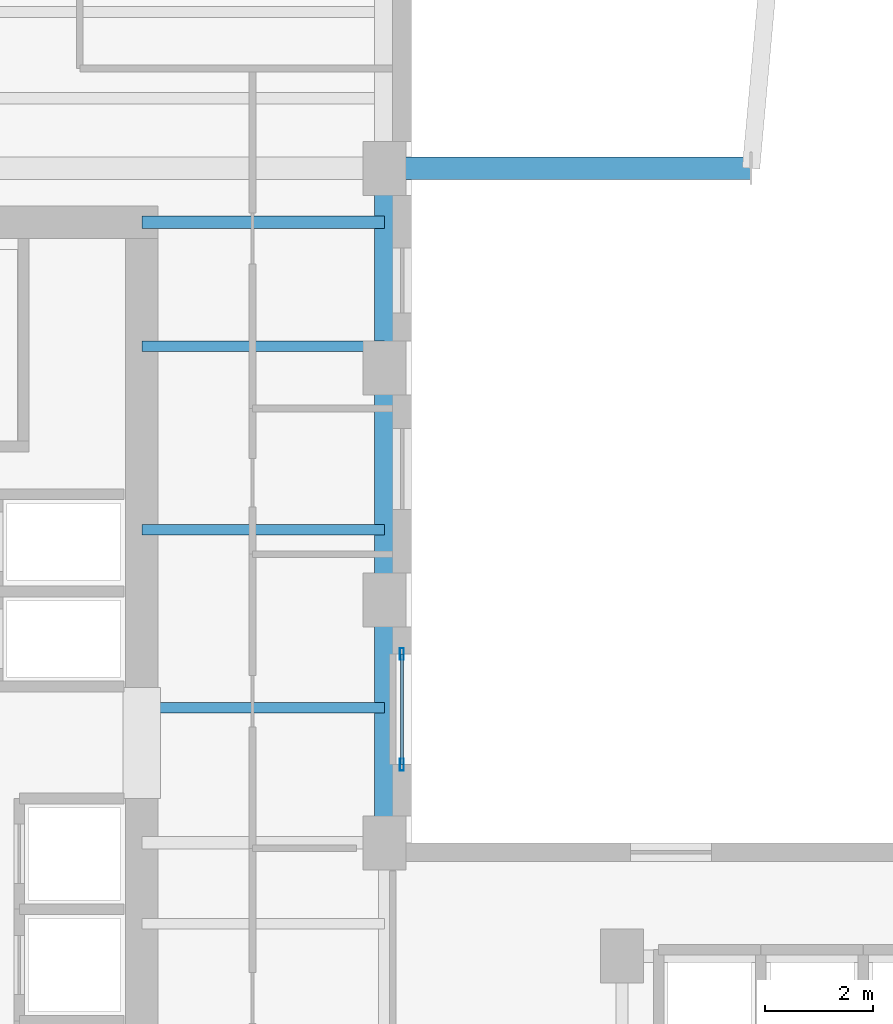
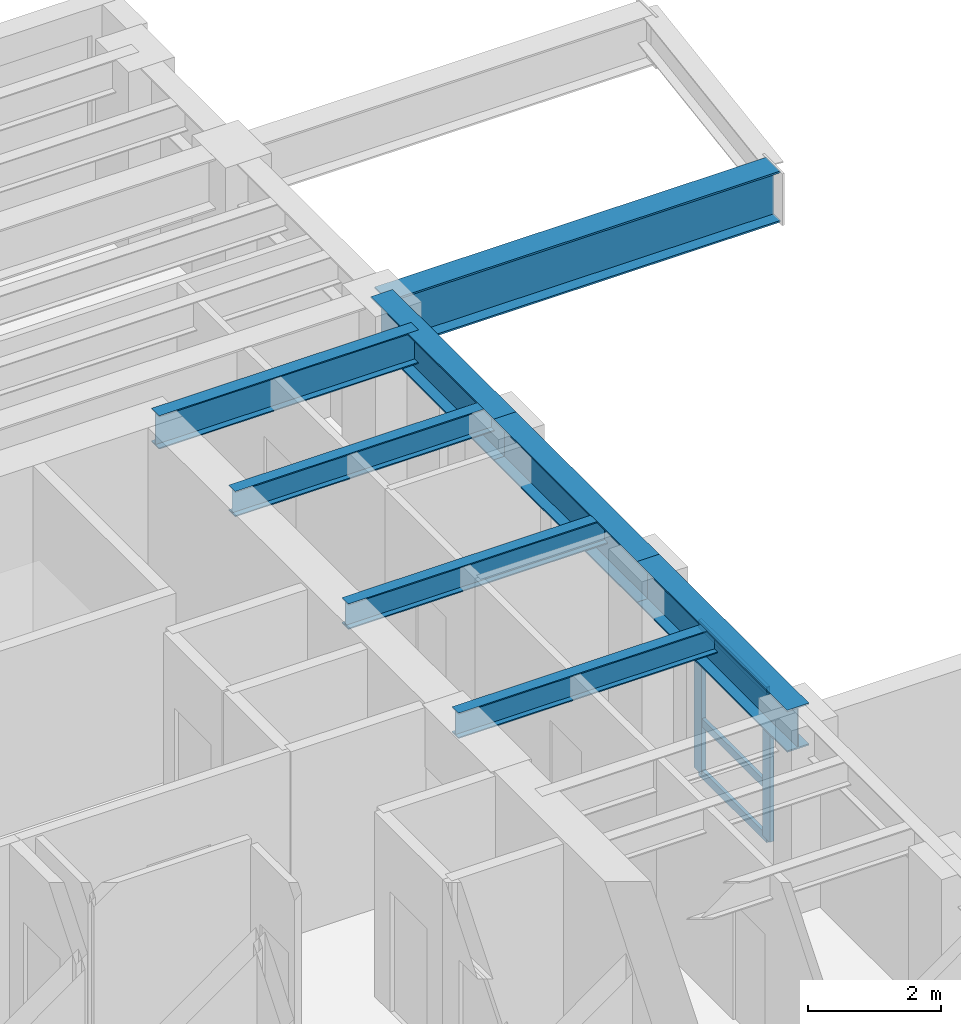
# One storey, part 2 of 13: 8 beams, 5 members, 1 element without a shape of its own.
"""IFC4 building model written with IfcOpenShell, lengths in metres."""

from ifc_helpers import new_model, si_unit, direction, frame, origin, origin_2d, place, context, subcontext, project, spatial, hollow_rectangle, i_section, extrude, source, transform, mapped, material, layer, layer_set, material_profile, profile_set, type_object, element, aggregate, save


model = new_model("IFC4")

# Units and contexts
model_context = context("Model", 3, precision=1e-05, world=origin(), true_north=direction((0.0, 1.0)))
body_context = subcontext(model_context, "Body", "Model", "MODEL_VIEW")
ifc_project = project(units=[si_unit("LENGTHUNIT", "METRE"), si_unit("AREAUNIT", "SQUARE_METRE"), si_unit("VOLUMEUNIT", "CUBIC_METRE"), si_unit("PLANEANGLEUNIT", "RADIAN"), si_unit("MASSUNIT", "GRAM", prefix="KILO")], contexts=[model_context])

# Site, building, storey
site_placement = place(None, origin())
site = spatial("IfcSite", under=ifc_project, at=site_placement, CompositionType="ELEMENT")
building_placement = place(site_placement, origin())
building = spatial("IfcBuilding", under=site, at=building_placement, Name="Kharzan Plaza Tower", CompositionType="ELEMENT")
storey_placement = place(building_placement, frame((0.0, 0.0, 197.10009765625)))
storey = spatial("IfcBuildingStorey", under=building, at=storey_placement, Name="L53", CompositionType="ELEMENT", Elevation=197.10009765625)

# Beams
ifc_material_1 = material(Name="Steel S355", Category="steel")
ifc_material_profile_1 = material_profile(ifc_material_1, i_section(OverallWidth=0.194091796875, OverallDepth=0.468994140625, WebThickness=0.011474609375, FlangeThickness=0.0205078125, at=origin_2d()), Name="W460x106")
ifc_profile_set_1 = profile_set([ifc_material_profile_1], Name="Steel S355")
beam_type_1 = type_object("IfcBeamType", Name="BM-JST460", PredefinedType="JOIST", material=ifc_profile_set_1)
shared_shape_1 = source(origin(), body_context, "Body", "SweptSolid", [
    extrude(i_section(OverallWidth=0.194091796875, OverallDepth=0.468994140625, WebThickness=0.011474609375, FlangeThickness=0.0205078125, at=origin_2d()), origin(), (0.0, 0.0, 1.0), 4.5),
])
for number, where, z_axis, x_axis, name in (
    (1, (14.5, 20.5, 3.165283203125), (1.0, 0.0, 0.0), (0.0, 1.0, 0.0), "L53 Wing A East Infill Joist 4"),
    (2, (14.5, 23.800048828125, 3.165283203125), (1.0, 0.0, 0.0), (0.0, 1.0, 0.0), "L53 Wing A East Infill Joist 5"),
    (3, (14.5, 27.199951171875, 3.165283203125), (1.0, 0.0, 0.0), (0.0, 1.0, 0.0), "L53 Wing A East Infill Joist 6"),
):
    element("IfcBeam", number, at=place(storey_placement, frame(where, z_axis=z_axis, x_axis=x_axis)), inside=storey, type_object=beam_type_1, Name=name, PredefinedType="JOIST", context=body_context, shape_type="MappedRepresentation", body=[
        mapped(shared_shape_1, transform((0.0, 0.0, 0.0), x_axis=(1.0, 0.0, 0.0), y_axis=(0.0, 1.0, 0.0), z_axis=(0.0, 0.0, 1.0))),
    ])
ifc_material_profile_2 = material_profile(ifc_material_1, i_section(OverallWidth=0.41796875, OverallDepth=0.93701171875, WebThickness=0.019287109375, FlangeThickness=0.031982421875, at=origin_2d()), Name="W920x342")
ifc_profile_set_2 = profile_set([ifc_material_profile_2], Name="Steel S355")
beam_type_2 = type_object("IfcBeamType", Name="BM-ZTG920", PredefinedType="BEAM", material=ifc_profile_set_2)
shared_shape_2 = source(origin(), body_context, "Body", "SweptSolid", [
    extrude(i_section(OverallWidth=0.41796875, OverallDepth=0.93701171875, WebThickness=0.019287109375, FlangeThickness=0.031982421875, at=origin_2d()), origin(), (0.0, 0.0, 1.0), 6.7900390625),
])
beam_1_placement = place(storey_placement, frame((19.0, 30.5, 2.91650390625), z_axis=(1.0, 0.0, 0.0), x_axis=(0.0, 1.0, 0.0)))
element("IfcBeam", 4, at=beam_1_placement, inside=storey, type_object=beam_type_2, Name="L53 Sky-Terrace Cantilever Girder ZTG1 (L54 G1)", PredefinedType="BEAM", context=body_context, shape_type="MappedRepresentation", body=[
    mapped(shared_shape_2, transform((0.0, 0.0, 0.0), x_axis=(1.0, 0.0, 0.0), y_axis=(0.0, 1.0, 0.0), z_axis=(0.0, 0.0, 1.0))),
])

# Curtain wall, members
ifc_material_2 = material(Name="Unitised Bronze-Anodized Aluminium and Low-E Glass", Category="aluminium")
ifc_layer = layer(ifc_material_2, 0.199951171875)
ifc_layer_set = layer_set([ifc_layer], Name="Unitised Bronze-Anodized Aluminium and Low-E Glass")
curtain_wall_type = type_object("IfcCurtainWallType", Name="CW-SLOT-3", PredefinedType="NOTDEFINED", material=ifc_layer_set)
curtain_wall_placement = place(storey_placement, origin())
curtain_wall = element("IfcCurtainWall", 5, at=curtain_wall_placement, inside=storey, type_object=curtain_wall_type, Name="L53 West Slot Recessed Spine Curtain Wall", PredefinedType="NOTDEFINED")
ifc_material_3 = material(Name="Anodized Bronze Aluminium", Category="aluminium")
ifc_material_profile_3 = material_profile(ifc_material_3, hollow_rectangle(XDim=0.074951171875, YDim=0.219970703125, WallThickness=0.00390625, at=origin_2d()), Name="ALU-M220x75x4")
ifc_profile_set_3 = profile_set([ifc_material_profile_3], Name="Anodized Bronze Aluminium")
member_type_1 = type_object("IfcMemberType", Name="MEM-CW-MUL200", PredefinedType="MULLION", material=ifc_profile_set_3)
shared_shape_3 = source(origin(), body_context, "Body", "SweptSolid", [
    extrude(hollow_rectangle(XDim=0.074951171875, YDim=0.219970703125, WallThickness=0.00390625, at=origin_2d()), origin(), (0.0, 0.0, 1.0), 2.699951171875),
])
member_1_placement = place(storey_placement, frame((19.320068359375, 19.449951171875, 0.0), z_axis=(0.0, 0.0, 1.0), x_axis=(1.0, 0.0, 0.0)))
member_1 = element("IfcMember", 6, at=member_1_placement, type_object=member_type_1, Name="L53 Curtain-Wall Mullion 00", PredefinedType="MULLION", context=body_context, shape_type="MappedRepresentation", body=[
    mapped(shared_shape_3, transform((0.0, 0.0, 0.0), x_axis=(1.0, 0.0, 0.0), y_axis=(0.0, 1.0, 0.0), z_axis=(0.0, 0.0, 1.0))),
])
member_2_placement = place(storey_placement, frame((19.320068359375, 21.5, 0.0), z_axis=(0.0, 0.0, 1.0), x_axis=(1.0, 0.0, 0.0)))
member_2 = element("IfcMember", 7, at=member_2_placement, type_object=member_type_1, Name="L53 Curtain-Wall Mullion 01", PredefinedType="MULLION", context=body_context, shape_type="MappedRepresentation", body=[
    mapped(shared_shape_3, transform((0.0, 0.0, 0.0), x_axis=(1.0, 0.0, 0.0), y_axis=(0.0, 1.0, 0.0), z_axis=(0.0, 0.0, 1.0))),
])
ifc_material_profile_4 = material_profile(ifc_material_3, hollow_rectangle(XDim=0.06005859375, YDim=0.14990234375, WallThickness=0.00341796875, at=origin_2d()), Name="ALU-T150x60x3.5")
ifc_profile_set_4 = profile_set([ifc_material_profile_4], Name="Anodized Bronze Aluminium")
member_type_2 = type_object("IfcMemberType", Name="MEM-CW-TRN150", PredefinedType="USERDEFINED", material=ifc_profile_set_4)
shared_shape_4 = source(origin(), body_context, "Body", "SweptSolid", [
    extrude(hollow_rectangle(XDim=0.06005859375, YDim=0.14990234375, WallThickness=0.00341796875, at=origin_2d()), origin(), (0.0, 0.0, 1.0), 2.050048828125),
])
member_3_placement = place(storey_placement, frame((19.320068359375, 19.449951171875, 0.0), z_axis=(0.0, 1.0, 0.0), x_axis=(-1.0, 0.0, 0.0)))
member_3 = element("IfcMember", 8, at=member_3_placement, type_object=member_type_2, Name="L53 Curtain-Wall Transom 1", ObjectType="TRANSOM", PredefinedType="USERDEFINED", context=body_context, shape_type="MappedRepresentation", body=[
    mapped(shared_shape_4, transform((0.0, 0.0, 0.0), x_axis=(1.0, 0.0, 0.0), y_axis=(0.0, 1.0, 0.0), z_axis=(0.0, 0.0, 1.0))),
])
member_4_placement = place(storey_placement, frame((19.320068359375, 19.449951171875, 0.949951171875), z_axis=(0.0, 1.0, 0.0), x_axis=(-1.0, 0.0, 0.0)))
member_4 = element("IfcMember", 9, at=member_4_placement, type_object=member_type_2, Name="L53 Curtain-Wall Transom 2", ObjectType="TRANSOM", PredefinedType="USERDEFINED", context=body_context, shape_type="MappedRepresentation", body=[
    mapped(shared_shape_4, transform((0.0, 0.0, 0.0), x_axis=(1.0, 0.0, 0.0), y_axis=(0.0, 1.0, 0.0), z_axis=(0.0, 0.0, 1.0))),
])
member_5_placement = place(storey_placement, frame((19.320068359375, 19.449951171875, 2.699951171875), z_axis=(0.0, 1.0, 0.0), x_axis=(-1.0, 0.0, 0.0)))
member_5 = element("IfcMember", 10, at=member_5_placement, type_object=member_type_2, Name="L53 Curtain-Wall Transom 3", ObjectType="TRANSOM", PredefinedType="USERDEFINED", context=body_context, shape_type="MappedRepresentation", body=[
    mapped(shared_shape_4, transform((0.0, 0.0, 0.0), x_axis=(1.0, 0.0, 0.0), y_axis=(0.0, 1.0, 0.0), z_axis=(0.0, 0.0, 1.0))),
])
aggregate(curtain_wall, [member_1, member_2, member_3, member_4, member_5])

# Beams
ifc_material_profile_5 = material_profile(ifc_material_1, i_section(OverallWidth=0.22900390625, OverallDepth=0.612060546875, WebThickness=0.011962890625, FlangeThickness=0.01953125, at=origin_2d()), Name="W610x125")
ifc_profile_set_5 = profile_set([ifc_material_profile_5], Name="Steel S355")
beam_type_3 = type_object("IfcBeamType", Name="BM-FG610B", PredefinedType="BEAM", material=ifc_profile_set_5)
shared_shape_5 = source(origin(), body_context, "Body", "SweptSolid", [
    extrude(i_section(OverallWidth=0.22900390625, OverallDepth=0.612060546875, WebThickness=0.011962890625, FlangeThickness=0.01953125, at=origin_2d()), origin(), (0.0, 0.0, 1.0), 4.5),
])
beam_2_placement = place(storey_placement, frame((14.5, 29.5, 3.093994140625), z_axis=(1.0, 0.0, 0.0), x_axis=(0.0, 1.0, 0.0)))
element("IfcBeam", 11, at=beam_2_placement, inside=storey, type_object=beam_type_3, Name="L53 Core-A East Floor Girder 3", PredefinedType="BEAM", context=body_context, shape_type="MappedRepresentation", body=[
    mapped(shared_shape_5, transform((0.0, 0.0, 0.0), x_axis=(1.0, 0.0, 0.0), y_axis=(0.0, 1.0, 0.0), z_axis=(0.0, 0.0, 1.0))),
])
ifc_material_profile_6 = material_profile(ifc_material_1, i_section(OverallWidth=0.381103515625, OverallDepth=0.77294921875, WebThickness=0.0166015625, FlangeThickness=0.027587890625, at=origin_2d()), Name="W760x257")
ifc_profile_set_6 = profile_set([ifc_material_profile_6], Name="Steel S355")
beam_type_4 = type_object("IfcBeamType", Name="BM-SP760A", PredefinedType="SPANDREL", material=ifc_profile_set_6)
shared_shape_6 = source(origin(), body_context, "Body", "SweptSolid", [
    extrude(i_section(OverallWidth=0.381103515625, OverallDepth=0.77294921875, WebThickness=0.0166015625, FlangeThickness=0.027587890625, at=origin_2d()), origin(), (0.0, 0.0, 1.0), 4.5),
])
beam_3_placement = place(storey_placement, frame((19.0, 18.0, 3.013427734375), z_axis=(0.0, 1.0, 0.0), x_axis=(-1.0, 0.0, 0.0)))
element("IfcBeam", 12, at=beam_3_placement, inside=storey, type_object=beam_type_4, Name="L53 Perimeter Tube Spandrel", PredefinedType="SPANDREL", context=body_context, shape_type="MappedRepresentation", body=[
    mapped(shared_shape_6, transform((0.0, 0.0, 0.0), x_axis=(1.0, 0.0, 0.0), y_axis=(0.0, 1.0, 0.0), z_axis=(0.0, 0.0, 1.0))),
])
shared_shape_7 = source(origin(), body_context, "Body", "SweptSolid", [
    extrude(i_section(OverallWidth=0.381103515625, OverallDepth=0.77294921875, WebThickness=0.0166015625, FlangeThickness=0.027587890625, at=origin_2d()), origin(), (0.0, 0.0, 1.0), 4.300048828125),
])
beam_4_placement = place(storey_placement, frame((19.0, 22.5, 3.013427734375), z_axis=(0.0, 1.0, 0.0), x_axis=(-1.0, 0.0, 0.0)))
element("IfcBeam", 13, at=beam_4_placement, inside=storey, type_object=beam_type_4, Name="L53 Perimeter Tube Spandrel", PredefinedType="SPANDREL", context=body_context, shape_type="MappedRepresentation", body=[
    mapped(shared_shape_7, transform((0.0, 0.0, 0.0), x_axis=(1.0, 0.0, 0.0), y_axis=(0.0, 1.0, 0.0), z_axis=(0.0, 0.0, 1.0))),
])
shared_shape_8 = source(origin(), body_context, "Body", "SweptSolid", [
    extrude(i_section(OverallWidth=0.381103515625, OverallDepth=0.77294921875, WebThickness=0.0166015625, FlangeThickness=0.027587890625, at=origin_2d()), origin(), (0.0, 0.0, 1.0), 3.699951171875),
])
beam_5_placement = place(storey_placement, frame((19.0, 26.800048828125, 3.013427734375), z_axis=(0.0, 1.0, 0.0), x_axis=(-1.0, 0.0, 0.0)))
element("IfcBeam", 14, at=beam_5_placement, inside=storey, type_object=beam_type_4, Name="L53 Perimeter Tube Spandrel", PredefinedType="SPANDREL", context=body_context, shape_type="MappedRepresentation", body=[
    mapped(shared_shape_8, transform((0.0, 0.0, 0.0), x_axis=(1.0, 0.0, 0.0), y_axis=(0.0, 1.0, 0.0), z_axis=(0.0, 0.0, 1.0))),
])

save(model, "model.ifc")
